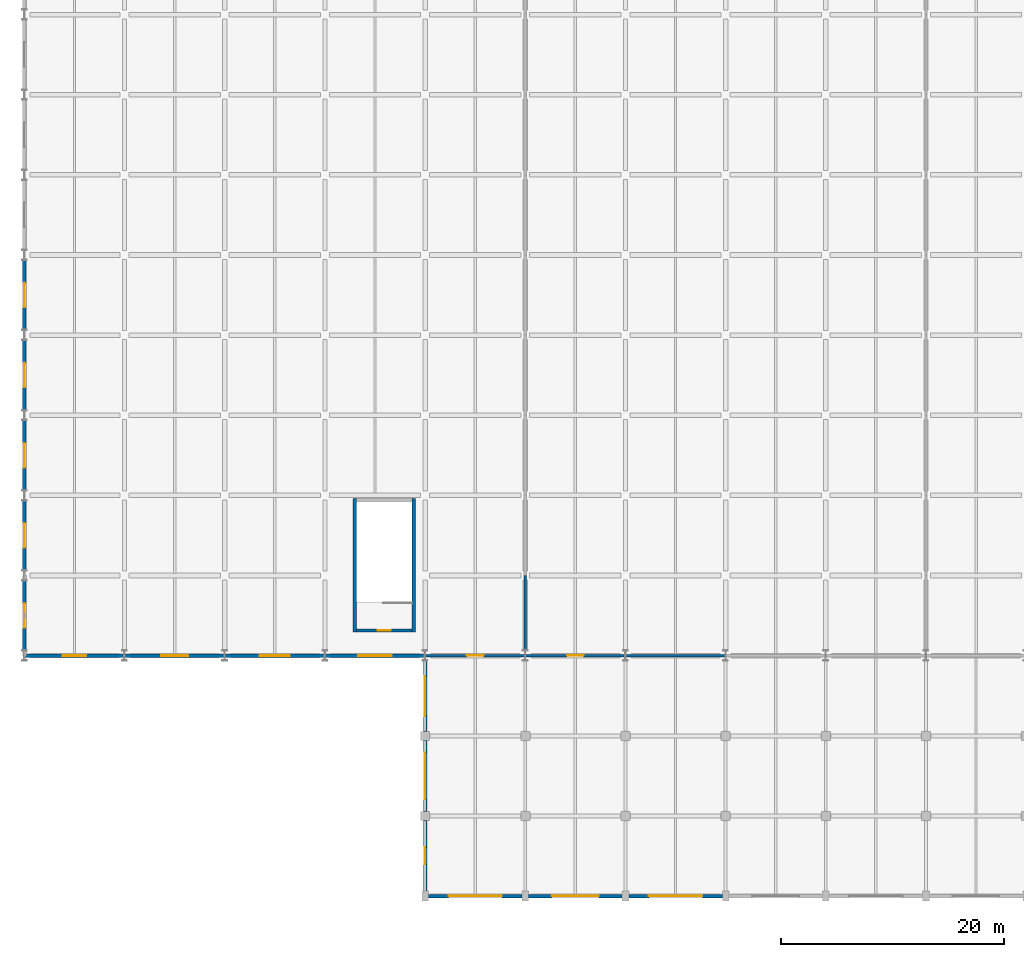
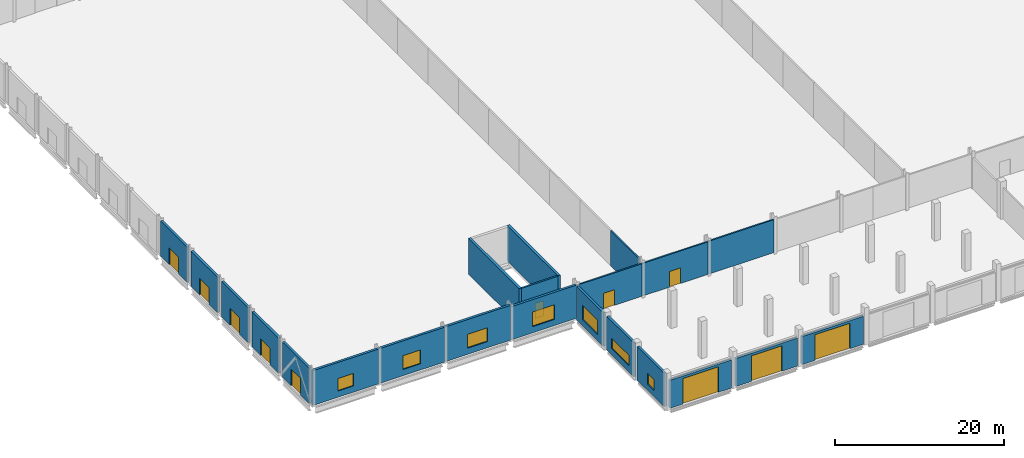
# One storey, part 85 of 137: 22 walls, 11 doors, 7 windows, 18 openings.
"""IFC4 building model written with IfcOpenShell, lengths in metres."""

from ifc_helpers import new_model, si_unit, direction, frame, frame_2d, origin, place, context, subcontext, project, spatial, rectangle, extrude, material, layer, layer_set, type_object, element, fill, save


model = new_model("IFC4")

# Units and contexts
model_context = context("Model", 3, precision=1e-05, world=origin(), true_north=direction((0.0, 1.0)))
body_context = subcontext(model_context, "Body", "Model", "MODEL_VIEW")
ifc_project = project(units=[si_unit("LENGTHUNIT", "METRE"), si_unit("AREAUNIT", "SQUARE_METRE"), si_unit("VOLUMEUNIT", "CUBIC_METRE"), si_unit("PLANEANGLEUNIT", "RADIAN"), si_unit("MASSUNIT", "GRAM", prefix="KILO")], contexts=[model_context])

# Site, building, storey
site_placement = place(None, origin())
site = spatial("IfcSite", under=ifc_project, at=site_placement, CompositionType="ELEMENT")
building_placement = place(site_placement, origin())
building = spatial("IfcBuilding", under=site, at=building_placement, Name="Celestram Park Convention Centre", CompositionType="ELEMENT")
storey_placement = place(building_placement, origin())
storey = spatial("IfcBuildingStorey", under=building, at=storey_placement, Name="L00", CompositionType="ELEMENT", Elevation=0.0)

# Wall, opening, door
ifc_material_1 = material(Name="Double-Stud Acoustic Gypsum Assembly", Category="gypsum")
ifc_layer_1 = layer(ifc_material_1, 0.199951171875)
ifc_layer_set_1 = layer_set([ifc_layer_1], Name="Double-Stud Acoustic Gypsum Assembly")
wall_type_1 = type_object("IfcWallType", Name="ARC-WL-ACO200", PredefinedType="PARTITIONING", material=ifc_layer_set_1)
wall_1_placement = place(storey_placement, frame((36.010009765625, 21.60009765625, 0.0), z_axis=(0.0, 0.0, 1.0), x_axis=(1.0, 0.0, 0.0)))
wall_1 = element("IfcWall", 1, at=wall_1_placement, inside=storey, type_object=wall_type_1, Name="Interior partition WL-L00-IN0540", PredefinedType="PARTITIONING", context=body_context, shape_type="SweptSolid", body=[
    extrude(rectangle(XDim=8.97998046875, YDim=0.199951171875, at=frame_2d((4.489990234375, 0.0))), origin(), (0.0, 0.0, 1.0), 4.693115234375),
])
opening_1_placement = place(wall_1_placement, frame((3.739990234375, 0.0, 0.0)))
opening_1 = element("IfcOpeningElement", 2, at=opening_1_placement, cuts=wall_1, Name="Opening D-09", PredefinedType="OPENING", context=body_context, shape_type="SweptSolid", body=[
    extrude(rectangle(XDim=1.5, YDim=2.25, at=frame_2d((0.75, 1.125))), frame((0.0, 0.10986328125, 0.0), z_axis=(0.0, -1.0, 0.0), x_axis=(1.0, 0.0, 0.0)), (0.0, 0.0, 1.0), 0.219970703125),
])
ifc_material_2 = material(Name="Galvanised Hollow Metal Plant Double Door", Category="steel")
door_type_1 = type_object("IfcDoorType", Name="ARC-DR-PLT150", OperationType="NOTDEFINED", PredefinedType="DOOR", material=ifc_material_2)
door_1_placement = place(opening_1_placement, origin())
door_1 = element("IfcDoor", 3, at=door_1_placement, inside=storey, type_object=door_type_1, Name="Covered Truck Loading Dock entrance door", OperationType="DOUBLE_DOOR_SINGLE_SWING", OverallHeight=2.25, OverallWidth=1.5, PredefinedType="DOOR", context=body_context, shape_type="SweptSolid", body=[
    extrude(rectangle(XDim=1.5, YDim=2.25, at=frame_2d((0.75, 1.125))), frame((0.0, 0.02490234375, 0.0), z_axis=(0.0, -1.0, 0.0), x_axis=(1.0, 0.0, 0.0)), (0.0, 0.0, 1.0), 0.050048828125),
])
fill(opening_1, door_1)

wall_2_placement = place(storey_placement, frame((45.010009765625, 21.60009765625, 0.0), z_axis=(0.0, 0.0, 1.0), x_axis=(1.0, 0.0, 0.0)))
wall_2 = element("IfcWall", 4, at=wall_2_placement, inside=storey, type_object=wall_type_1, Name="Interior partition WL-L00-IN0541", PredefinedType="PARTITIONING", context=body_context, shape_type="SweptSolid", body=[
    extrude(rectangle(XDim=8.97998046875, YDim=0.199951171875, at=frame_2d((4.489990234375, 0.0))), origin(), (0.0, 0.0, 1.0), 4.702880859375),
])
opening_2_placement = place(wall_2_placement, frame((3.739990234375, 0.0, 0.0)))
opening_2 = element("IfcOpeningElement", 5, at=opening_2_placement, cuts=wall_2, Name="Opening D-09", PredefinedType="OPENING", context=body_context, shape_type="SweptSolid", body=[
    extrude(rectangle(XDim=1.5, YDim=2.25, at=frame_2d((0.75, 1.125))), frame((0.0, 0.10986328125, 0.0), z_axis=(0.0, -1.0, 0.0), x_axis=(1.0, 0.0, 0.0)), (0.0, 0.0, 1.0), 0.219970703125),
])
door_2_placement = place(opening_2_placement, origin())
door_2 = element("IfcDoor", 6, at=door_2_placement, inside=storey, type_object=door_type_1, Name="Covered Truck Loading Dock entrance door", OperationType="DOUBLE_DOOR_SINGLE_SWING", OverallHeight=2.25, OverallWidth=1.5, PredefinedType="DOOR", context=body_context, shape_type="SweptSolid", body=[
    extrude(rectangle(XDim=1.5, YDim=2.25, at=frame_2d((0.75, 1.125))), frame((0.0, 0.02490234375, 0.0), z_axis=(0.0, -1.0, 0.0), x_axis=(1.0, 0.0, 0.0)), (0.0, 0.0, 1.0), 0.050048828125),
])
fill(opening_2, door_2)

# Walls
wall_3_placement = place(storey_placement, frame((54.010009765625, 21.60009765625, 0.0), z_axis=(0.0, 0.0, 1.0), x_axis=(1.0, 0.0, 0.0)))
element("IfcWall", 7, at=wall_3_placement, inside=storey, type_object=wall_type_1, Name="Interior partition WL-L00-IN0542", PredefinedType="PARTITIONING", context=body_context, shape_type="SweptSolid", body=[
    extrude(rectangle(XDim=8.97998046875, YDim=0.199951171875, at=frame_2d((4.489990234375, 0.0))), origin(), (0.0, 0.0, 1.0), 4.75390625),
])
wall_4_placement = place(storey_placement, frame((45.0, 22.06396484375, 0.0), z_axis=(0.0, 0.0, 1.0), x_axis=(0.0, 1.0, 0.0)))
element("IfcWall", 8, at=wall_4_placement, inside=storey, type_object=wall_type_1, Name="Interior partition WL-L00-IN0614", PredefinedType="PARTITIONING", context=body_context, shape_type="SweptSolid", body=[
    extrude(rectangle(XDim=6.736083984375, YDim=0.199951171875, at=frame_2d((3.3681640625, 0.0))), origin(), (0.0, 0.0, 1.0), 5.080078125),
])

# Wall, opening, door
ifc_material_3 = material(Name="Concrete Block Masonry C25/30", Category="masonry")
ifc_layer_2 = layer(ifc_material_3, 0.25)
ifc_layer_set_2 = layer_set([ifc_layer_2], Name="Concrete Block Masonry C25/30")
wall_type_2 = type_object("IfcWallType", Name="ARC-WL-COR250", PredefinedType="STANDARD", material=ifc_layer_set_2)
wall_5_placement = place(storey_placement, frame((34.800048828125, 23.875, 0.0), z_axis=(0.0, 0.0, 1.0), x_axis=(-1.0, 0.0, 0.0)))
wall_5 = element("IfcWall", 9, at=wall_5_placement, inside=storey, type_object=wall_type_2, Name="Core S17 stair entrance wall", PredefinedType="STANDARD", context=body_context, shape_type="SweptSolid", body=[
    extrude(rectangle(XDim=4.9599609375, YDim=0.25, at=frame_2d((2.47998046875, 0.0))), origin(), (0.0, 0.0, 1.0), 5.080078125),
])
opening_3_placement = place(wall_5_placement, frame((1.905029296875, 0.0, 0.0)))
opening_3 = element("IfcOpeningElement", 10, at=opening_3_placement, cuts=wall_5, Name="Opening D-ST1", PredefinedType="OPENING", context=body_context, shape_type="SweptSolid", body=[
    extrude(rectangle(XDim=1.14990234375, YDim=2.199951171875, at=frame_2d((0.574951171875, 1.10009765625))), frame((0.0, 0.135009765625, 0.0), z_axis=(0.0, -1.0, 0.0), x_axis=(1.0, 0.0, 0.0)), (0.0, 0.0, 1.0), 0.27001953125),
])
ifc_material_4 = material(Name="Fire-Rated Hollow Metal Steel ASTM A653", Category="steel")
door_type_2 = type_object("IfcDoorType", Name="ARC-DR-ST115", OperationType="NOTDEFINED", PredefinedType="DOOR", material=ifc_material_4)
door_3_placement = place(opening_3_placement, origin())
door_3 = element("IfcDoor", 11, at=door_3_placement, inside=storey, type_object=door_type_2, Name="Exit stair ST-17 fire door", OperationType="SINGLE_SWING_RIGHT", OverallHeight=2.199951171875, OverallWidth=1.14990234375, PredefinedType="DOOR", context=body_context, shape_type="SweptSolid", body=[
    extrude(rectangle(XDim=1.14990234375, YDim=2.199951171875, at=frame_2d((0.574951171875, 1.10009765625))), frame((0.0, 0.02490234375, 0.0), z_axis=(0.0, -1.0, 0.0), x_axis=(1.0, 0.0, 0.0)), (0.0, 0.0, 1.0), 0.050048828125),
])
fill(opening_3, door_3)

ifc_material_5 = material(Name="Precast Concrete C40/50", Category="concrete")
ifc_layer_3 = layer(ifc_material_5, 0.320068359375)
ifc_layer_set_3 = layer_set([ifc_layer_3], Name="Precast Concrete C40/50")
wall_type_3 = type_object("IfcWallType", Name="ARC-WL-EXT320", PredefinedType="STANDARD", material=ifc_layer_set_3)
wall_6_placement = place(storey_placement, frame((0.0, 22.06396484375, 0.0), z_axis=(0.0, 0.0, 1.0), x_axis=(0.0, 1.0, 0.0)))
wall_6 = element("IfcWall", 12, at=wall_6_placement, inside=storey, type_object=wall_type_3, Name="Bush-hammered precast exterior wall WL-L00-EW001", PredefinedType="STANDARD", context=body_context, shape_type="SweptSolid", body=[
    extrude(rectangle(XDim=6.27197265625, YDim=0.320068359375, at=frame_2d((3.135986328125, 0.0))), origin(), (0.0, 0.0, 1.0), 5.080078125),
])
opening_4_placement = place(wall_6_placement, frame((2.035888671875, 0.0, 0.0)))
opening_4 = element("IfcOpeningElement", 13, at=opening_4_placement, cuts=wall_6, Name="Opening D-EX1", PredefinedType="OPENING", context=body_context, shape_type="SweptSolid", body=[
    extrude(rectangle(XDim=2.199951171875, YDim=2.39990234375, at=frame_2d((1.10009765625, 1.199951171875))), frame((0.0, 0.169921875, 0.0), z_axis=(0.0, -1.0, 0.0), x_axis=(1.0, 0.0, 0.0)), (0.0, 0.0, 1.0), 0.340087890625),
])
ifc_material_6 = material(Name="Anodised Aluminium & Tempered Glass", Category="aluminium")
door_type_3 = type_object("IfcDoorType", Name="ARC-DR-EX2200", OperationType="NOTDEFINED", PredefinedType="DOOR", material=ifc_material_6)
door_4_placement = place(opening_4_placement, origin())
door_4 = element("IfcDoor", 14, at=door_4_placement, inside=storey, type_object=door_type_3, Name="Ground egress exit door DR-L00-EX01", OperationType="DOUBLE_DOOR_SINGLE_SWING", OverallHeight=2.39990234375, OverallWidth=2.199951171875, PredefinedType="DOOR", context=body_context, shape_type="SweptSolid", body=[
    extrude(rectangle(XDim=2.199951171875, YDim=2.39990234375, at=frame_2d((1.10009765625, 1.199951171875))), frame((0.0, 0.02490234375, 0.0), z_axis=(0.0, -1.0, 0.0), x_axis=(1.0, 0.0, 0.0)), (0.0, 0.0, 1.0), 0.050048828125),
])
fill(opening_4, door_4)

wall_7_placement = place(storey_placement, frame((0.0, 29.263916015625, 0.0), z_axis=(0.0, 0.0, 1.0), x_axis=(0.0, 1.0, 0.0)))
wall_7 = element("IfcWall", 15, at=wall_7_placement, inside=storey, type_object=wall_type_3, Name="Bush-hammered precast exterior wall WL-L00-EW002", PredefinedType="STANDARD", context=body_context, shape_type="SweptSolid", body=[
    extrude(rectangle(XDim=6.27197265625, YDim=0.320068359375, at=frame_2d((3.135986328125, 0.0))), origin(), (0.0, 0.0, 1.0), 5.080078125),
])
opening_5_placement = place(wall_7_placement, frame((2.035888671875, 0.0, 0.0)))
opening_5 = element("IfcOpeningElement", 16, at=opening_5_placement, cuts=wall_7, Name="Opening D-EX1", PredefinedType="OPENING", context=body_context, shape_type="SweptSolid", body=[
    extrude(rectangle(XDim=2.199951171875, YDim=2.39990234375, at=frame_2d((1.10009765625, 1.199951171875))), frame((0.0, 0.169921875, 0.0), z_axis=(0.0, -1.0, 0.0), x_axis=(1.0, 0.0, 0.0)), (0.0, 0.0, 1.0), 0.340087890625),
])
door_5_placement = place(opening_5_placement, origin())
door_5 = element("IfcDoor", 17, at=door_5_placement, inside=storey, type_object=door_type_3, Name="Ground egress exit door DR-L00-EX02", OperationType="DOUBLE_DOOR_SINGLE_SWING", OverallHeight=2.39990234375, OverallWidth=2.199951171875, PredefinedType="DOOR", context=body_context, shape_type="SweptSolid", body=[
    extrude(rectangle(XDim=2.199951171875, YDim=2.39990234375, at=frame_2d((1.10009765625, 1.199951171875))), frame((0.0, 0.02490234375, 0.0), z_axis=(0.0, -1.0, 0.0), x_axis=(1.0, 0.0, 0.0)), (0.0, 0.0, 1.0), 0.050048828125),
])
fill(opening_5, door_5)

wall_8_placement = place(storey_placement, frame((0.0, 36.464111328125, 0.0), z_axis=(0.0, 0.0, 1.0), x_axis=(0.0, 1.0, 0.0)))
wall_8 = element("IfcWall", 18, at=wall_8_placement, inside=storey, type_object=wall_type_3, Name="Bush-hammered precast exterior wall WL-L00-EW003", PredefinedType="STANDARD", context=body_context, shape_type="SweptSolid", body=[
    extrude(rectangle(XDim=6.27197265625, YDim=0.320068359375, at=frame_2d((3.135986328125, 0.0))), origin(), (0.0, 0.0, 1.0), 5.080078125),
])
opening_6_placement = place(wall_8_placement, frame((2.035888671875, 0.0, 0.0)))
opening_6 = element("IfcOpeningElement", 19, at=opening_6_placement, cuts=wall_8, Name="Opening D-EX1", PredefinedType="OPENING", context=body_context, shape_type="SweptSolid", body=[
    extrude(rectangle(XDim=2.199951171875, YDim=2.39990234375, at=frame_2d((1.10009765625, 1.199951171875))), frame((0.0, 0.169921875, 0.0), z_axis=(0.0, -1.0, 0.0), x_axis=(1.0, 0.0, 0.0)), (0.0, 0.0, 1.0), 0.340087890625),
])
door_6_placement = place(opening_6_placement, origin())
door_6 = element("IfcDoor", 20, at=door_6_placement, inside=storey, type_object=door_type_3, Name="Ground egress exit door DR-L00-EX03", OperationType="DOUBLE_DOOR_SINGLE_SWING", OverallHeight=2.39990234375, OverallWidth=2.199951171875, PredefinedType="DOOR", context=body_context, shape_type="SweptSolid", body=[
    extrude(rectangle(XDim=2.199951171875, YDim=2.39990234375, at=frame_2d((1.10009765625, 1.199951171875))), frame((0.0, 0.02490234375, 0.0), z_axis=(0.0, -1.0, 0.0), x_axis=(1.0, 0.0, 0.0)), (0.0, 0.0, 1.0), 0.050048828125),
])
fill(opening_6, door_6)

wall_9_placement = place(storey_placement, frame((0.0, 43.6640625, 0.0), z_axis=(0.0, 0.0, 1.0), x_axis=(0.0, 1.0, 0.0)))
wall_9 = element("IfcWall", 21, at=wall_9_placement, inside=storey, type_object=wall_type_3, Name="Bush-hammered precast exterior wall WL-L00-EW004", PredefinedType="STANDARD", context=body_context, shape_type="SweptSolid", body=[
    extrude(rectangle(XDim=6.27197265625, YDim=0.320068359375, at=frame_2d((3.135986328125, 0.0))), origin(), (0.0, 0.0, 1.0), 5.080078125),
])
opening_7_placement = place(wall_9_placement, frame((2.035888671875, 0.0, 0.0)))
opening_7 = element("IfcOpeningElement", 22, at=opening_7_placement, cuts=wall_9, Name="Opening D-EX1", PredefinedType="OPENING", context=body_context, shape_type="SweptSolid", body=[
    extrude(rectangle(XDim=2.199951171875, YDim=2.39990234375, at=frame_2d((1.10009765625, 1.199951171875))), frame((0.0, 0.169921875, 0.0), z_axis=(0.0, -1.0, 0.0), x_axis=(1.0, 0.0, 0.0)), (0.0, 0.0, 1.0), 0.340087890625),
])
door_7_placement = place(opening_7_placement, origin())
door_7 = element("IfcDoor", 23, at=door_7_placement, inside=storey, type_object=door_type_3, Name="Ground egress exit door DR-L00-EX04", OperationType="DOUBLE_DOOR_SINGLE_SWING", OverallHeight=2.39990234375, OverallWidth=2.199951171875, PredefinedType="DOOR", context=body_context, shape_type="SweptSolid", body=[
    extrude(rectangle(XDim=2.199951171875, YDim=2.39990234375, at=frame_2d((1.10009765625, 1.199951171875))), frame((0.0, 0.02490234375, 0.0), z_axis=(0.0, -1.0, 0.0), x_axis=(1.0, 0.0, 0.0)), (0.0, 0.0, 1.0), 0.050048828125),
])
fill(opening_7, door_7)

wall_10_placement = place(storey_placement, frame((0.0, 50.864013671875, 0.0), z_axis=(0.0, 0.0, 1.0), x_axis=(0.0, 1.0, 0.0)))
wall_10 = element("IfcWall", 24, at=wall_10_placement, inside=storey, type_object=wall_type_3, Name="Bush-hammered precast exterior wall WL-L00-EW005", PredefinedType="STANDARD", context=body_context, shape_type="SweptSolid", body=[
    extrude(rectangle(XDim=6.27197265625, YDim=0.320068359375, at=frame_2d((3.135986328125, 0.0))), origin(), (0.0, 0.0, 1.0), 5.080078125),
])
opening_8_placement = place(wall_10_placement, frame((2.035888671875, 0.0, 0.0)))
opening_8 = element("IfcOpeningElement", 25, at=opening_8_placement, cuts=wall_10, Name="Opening D-EX1", PredefinedType="OPENING", context=body_context, shape_type="SweptSolid", body=[
    extrude(rectangle(XDim=2.199951171875, YDim=2.39990234375, at=frame_2d((1.10009765625, 1.199951171875))), frame((0.0, 0.169921875, 0.0), z_axis=(0.0, -1.0, 0.0), x_axis=(1.0, 0.0, 0.0)), (0.0, 0.0, 1.0), 0.340087890625),
])
door_8_placement = place(opening_8_placement, origin())
door_8 = element("IfcDoor", 26, at=door_8_placement, inside=storey, type_object=door_type_3, Name="Ground egress exit door DR-L00-EX05", OperationType="DOUBLE_DOOR_SINGLE_SWING", OverallHeight=2.39990234375, OverallWidth=2.199951171875, PredefinedType="DOOR", context=body_context, shape_type="SweptSolid", body=[
    extrude(rectangle(XDim=2.199951171875, YDim=2.39990234375, at=frame_2d((1.10009765625, 1.199951171875))), frame((0.0, 0.02490234375, 0.0), z_axis=(0.0, -1.0, 0.0), x_axis=(1.0, 0.0, 0.0)), (0.0, 0.0, 1.0), 0.050048828125),
])
fill(opening_8, door_8)

wall_11_placement = place(storey_placement, frame((62.701904296875, 0.0, 0.0), z_axis=(0.0, 0.0, 1.0), x_axis=(-1.0, 0.0, 0.0)))
wall_11 = element("IfcWall", 27, at=wall_11_placement, inside=storey, type_object=wall_type_3, Name="Bush-hammered precast exterior wall WL-L00-EW072", PredefinedType="STANDARD", context=body_context, shape_type="SweptSolid", body=[
    extrude(rectangle(XDim=8.40380859375, YDim=0.320068359375, at=frame_2d((4.201904296875, 0.0))), origin(), (0.0, 0.0, 1.0), 4.04296875),
])
opening_9_placement = place(wall_11_placement, frame((1.802001953125, 0.0, 0.0)))
opening_9 = element("IfcOpeningElement", 28, at=opening_9_placement, cuts=wall_11, Name="Opening D-SH1", PredefinedType="OPENING", context=body_context, shape_type="SweptSolid", body=[
    extrude(rectangle(XDim=4.800048828125, YDim=3.68994140625, at=frame_2d((2.39990234375, 1.844970703125))), frame((0.0, 0.169921875, 0.0), z_axis=(0.0, -1.0, 0.0), x_axis=(1.0, 0.0, 0.0)), (0.0, 0.0, 1.0), 0.340087890625),
])
ifc_material_7 = material(Name="Galvanised Steel Roller Slats Grade 33", Category="steel")
door_type_4 = type_object("IfcDoorType", Name="ARC-DR-SH4800", OperationType="NOTDEFINED", PredefinedType="DOOR", material=ifc_material_7)
door_9_placement = place(opening_9_placement, origin())
door_9 = element("IfcDoor", 29, at=door_9_placement, inside=storey, type_object=door_type_4, Name="Motorised freight dock shutter DR-L00-SH05", OperationType="ROLLINGUP", OverallHeight=3.68994140625, OverallWidth=4.800048828125, PredefinedType="DOOR", context=body_context, shape_type="SweptSolid", body=[
    extrude(rectangle(XDim=4.800048828125, YDim=3.68994140625, at=frame_2d((2.39990234375, 1.844970703125))), frame((0.0, 0.02490234375, 0.0), z_axis=(0.0, -1.0, 0.0), x_axis=(1.0, 0.0, 0.0)), (0.0, 0.0, 1.0), 0.050048828125),
])
fill(opening_9, door_9)

wall_12_placement = place(storey_placement, frame((53.701904296875, 0.0, 0.0), z_axis=(0.0, 0.0, 1.0), x_axis=(-1.0, 0.0, 0.0)))
wall_12 = element("IfcWall", 30, at=wall_12_placement, inside=storey, type_object=wall_type_3, Name="Bush-hammered precast exterior wall WL-L00-EW073", PredefinedType="STANDARD", context=body_context, shape_type="SweptSolid", body=[
    extrude(rectangle(XDim=8.40380859375, YDim=0.320068359375, at=frame_2d((4.201904296875, 0.0))), origin(), (0.0, 0.0, 1.0), 4.04296875),
])
opening_10_placement = place(wall_12_placement, frame((2.10205078125, 0.0, 0.0)))
opening_10 = element("IfcOpeningElement", 31, at=opening_10_placement, cuts=wall_12, Name="Opening D-SH2", PredefinedType="OPENING", context=body_context, shape_type="SweptSolid", body=[
    extrude(rectangle(XDim=4.199951171875, YDim=3.68994140625, at=frame_2d((2.10009765625, 1.844970703125))), frame((0.0, 0.169921875, 0.0), z_axis=(0.0, -1.0, 0.0), x_axis=(1.0, 0.0, 0.0)), (0.0, 0.0, 1.0), 0.340087890625),
])
door_type_5 = type_object("IfcDoorType", Name="ARC-DR-SH4200", OperationType="NOTDEFINED", PredefinedType="DOOR", material=ifc_material_7)
door_10_placement = place(opening_10_placement, origin())
door_10 = element("IfcDoor", 32, at=door_10_placement, inside=storey, type_object=door_type_5, Name="Motorised freight dock shutter DR-L00-SH06", OperationType="ROLLINGUP", OverallHeight=3.68994140625, OverallWidth=4.199951171875, PredefinedType="DOOR", context=body_context, shape_type="SweptSolid", body=[
    extrude(rectangle(XDim=4.199951171875, YDim=3.68994140625, at=frame_2d((2.10009765625, 1.844970703125))), frame((0.0, 0.02490234375, 0.0), z_axis=(0.0, -1.0, 0.0), x_axis=(1.0, 0.0, 0.0)), (0.0, 0.0, 1.0), 0.050048828125),
])
fill(opening_10, door_10)

wall_13_placement = place(storey_placement, frame((44.701904296875, 0.0, 0.0), z_axis=(0.0, 0.0, 1.0), x_axis=(-1.0, 0.0, 0.0)))
wall_13 = element("IfcWall", 33, at=wall_13_placement, inside=storey, type_object=wall_type_3, Name="Bush-hammered precast exterior wall WL-L00-EW074", PredefinedType="STANDARD", context=body_context, shape_type="SweptSolid", body=[
    extrude(rectangle(XDim=8.40380859375, YDim=0.320068359375, at=frame_2d((4.201904296875, 0.0))), origin(), (0.0, 0.0, 1.0), 4.04296875),
])
opening_11_placement = place(wall_13_placement, frame((1.802001953125, 0.0, 0.0)))
opening_11 = element("IfcOpeningElement", 34, at=opening_11_placement, cuts=wall_13, Name="Opening D-SH1", PredefinedType="OPENING", context=body_context, shape_type="SweptSolid", body=[
    extrude(rectangle(XDim=4.800048828125, YDim=3.68994140625, at=frame_2d((2.39990234375, 1.844970703125))), frame((0.0, 0.169921875, 0.0), z_axis=(0.0, -1.0, 0.0), x_axis=(1.0, 0.0, 0.0)), (0.0, 0.0, 1.0), 0.340087890625),
])
door_11_placement = place(opening_11_placement, origin())
door_11 = element("IfcDoor", 35, at=door_11_placement, inside=storey, type_object=door_type_4, Name="Motorised freight dock shutter DR-L00-SH07", OperationType="ROLLINGUP", OverallHeight=3.68994140625, OverallWidth=4.800048828125, PredefinedType="DOOR", context=body_context, shape_type="SweptSolid", body=[
    extrude(rectangle(XDim=4.800048828125, YDim=3.68994140625, at=frame_2d((2.39990234375, 1.844970703125))), frame((0.0, 0.02490234375, 0.0), z_axis=(0.0, -1.0, 0.0), x_axis=(1.0, 0.0, 0.0)), (0.0, 0.0, 1.0), 0.050048828125),
])
fill(opening_11, door_11)

# Wall, opening, window
wall_14_placement = place(storey_placement, frame((36.0, 0.447998046875, 0.0), z_axis=(0.0, 0.0, 1.0), x_axis=(0.0, 1.0, 0.0)))
wall_14 = element("IfcWall", 36, at=wall_14_placement, inside=storey, type_object=wall_type_3, Name="Bush-hammered precast exterior wall WL-L00-EW075", PredefinedType="STANDARD", context=body_context, shape_type="SweptSolid", body=[
    extrude(rectangle(XDim=6.35400390625, YDim=0.320068359375, at=frame_2d((3.177001953125, 0.0))), origin(), (0.0, 0.0, 1.0), 4.860107421875),
])
opening_12_placement = place(wall_14_placement, frame((2.427001953125, 0.0, 0.89990234375)))
opening_12 = element("IfcOpeningElement", 37, at=opening_12_placement, cuts=wall_14, Name="Opening W-07", PredefinedType="OPENING", context=body_context, shape_type="SweptSolid", body=[
    extrude(rectangle(XDim=1.5, YDim=1.60009765625, at=frame_2d((0.75, 0.800048828125))), frame((0.0, 0.169921875, 0.0), z_axis=(0.0, -1.0, 0.0), x_axis=(1.0, 0.0, 0.0)), (0.0, 0.0, 1.0), 0.340087890625),
])
ifc_material_8 = material(Name="Thermally Broken Aluminium & Triple Glazing", Category="aluminium")
window_type_1 = type_object("IfcWindowType", Name="ARC-WN-150X160", PartitioningType="SINGLE_PANEL", PredefinedType="WINDOW", material=ifc_material_8)
window_1_placement = place(opening_12_placement, origin())
window_1 = element("IfcWindow", 38, at=window_1_placement, inside=storey, type_object=window_type_1, Name="Punched exterior window WN-L00-015", OverallHeight=1.60009765625, OverallWidth=1.5, PartitioningType="SINGLE_PANEL", PredefinedType="WINDOW", context=body_context, shape_type="SweptSolid", body=[
    extrude(rectangle(XDim=1.5, YDim=1.60009765625, at=frame_2d((0.75, 0.800048828125))), frame((0.0, 0.030029296875, 0.0), z_axis=(0.0, -1.0, 0.0), x_axis=(1.0, 0.0, 0.0)), (0.0, 0.0, 1.0), 0.06005859375),
])
fill(opening_12, window_1)

wall_15_placement = place(storey_placement, frame((36.0, 7.597900390625, 0.0), z_axis=(0.0, 0.0, 1.0), x_axis=(0.0, 1.0, 0.0)))
wall_15 = element("IfcWall", 39, at=wall_15_placement, inside=storey, type_object=wall_type_3, Name="Bush-hammered precast exterior wall WL-L00-EW076", PredefinedType="STANDARD", context=body_context, shape_type="SweptSolid", body=[
    extrude(rectangle(XDim=6.404052734375, YDim=0.320068359375, at=frame_2d((3.2021484375, 0.0))), origin(), (0.0, 0.0, 1.0), 4.860107421875),
])
opening_13_placement = place(wall_15_placement, frame((1.10205078125, 0.0, 0.89990234375)))
opening_13 = element("IfcOpeningElement", 40, at=opening_13_placement, cuts=wall_15, Name="Opening W-08", PredefinedType="OPENING", context=body_context, shape_type="SweptSolid", body=[
    extrude(rectangle(XDim=4.199951171875, YDim=1.5, at=frame_2d((2.10009765625, 0.75))), frame((0.0, 0.169921875, 0.0), z_axis=(0.0, -1.0, 0.0), x_axis=(1.0, 0.0, 0.0)), (0.0, 0.0, 1.0), 0.340087890625),
])
window_type_2 = type_object("IfcWindowType", Name="ARC-WN-420X150", PartitioningType="SINGLE_PANEL", PredefinedType="WINDOW", material=ifc_material_8)
window_2_placement = place(opening_13_placement, origin())
window_2 = element("IfcWindow", 41, at=window_2_placement, inside=storey, type_object=window_type_2, Name="Punched exterior window WN-L00-016", OverallHeight=1.5, OverallWidth=4.199951171875, PartitioningType="SINGLE_PANEL", PredefinedType="WINDOW", context=body_context, shape_type="SweptSolid", body=[
    extrude(rectangle(XDim=4.199951171875, YDim=1.5, at=frame_2d((2.10009765625, 0.75))), frame((0.0, 0.030029296875, 0.0), z_axis=(0.0, -1.0, 0.0), x_axis=(1.0, 0.0, 0.0)), (0.0, 0.0, 1.0), 0.06005859375),
])
fill(opening_13, window_2)

wall_16_placement = place(storey_placement, frame((36.0, 14.798095703125, 0.0), z_axis=(0.0, 0.0, 1.0), x_axis=(0.0, 1.0, 0.0)))
wall_16 = element("IfcWall", 42, at=wall_16_placement, inside=storey, type_object=wall_type_3, Name="Bush-hammered precast exterior wall WL-L00-EW077", PredefinedType="STANDARD", context=body_context, shape_type="SweptSolid", body=[
    extrude(rectangle(XDim=6.337890625, YDim=0.320068359375, at=frame_2d((3.1689453125, 0.0))), origin(), (0.0, 0.0, 1.0), 4.860107421875),
])
opening_14_placement = place(wall_16_placement, frame((1.368896484375, 0.0, 0.89990234375)))
opening_14 = element("IfcOpeningElement", 43, at=opening_14_placement, cuts=wall_16, Name="Opening W-01", PredefinedType="OPENING", context=body_context, shape_type="SweptSolid", body=[
    extrude(rectangle(XDim=3.60009765625, YDim=2.10009765625, at=frame_2d((1.800048828125, 1.050048828125))), frame((0.0, 0.169921875, 0.0), z_axis=(0.0, -1.0, 0.0), x_axis=(1.0, 0.0, 0.0)), (0.0, 0.0, 1.0), 0.340087890625),
])
window_type_3 = type_object("IfcWindowType", Name="ARC-WN-360X220", PartitioningType="SINGLE_PANEL", PredefinedType="WINDOW", material=ifc_material_8)
window_3_placement = place(opening_14_placement, origin())
window_3 = element("IfcWindow", 44, at=window_3_placement, inside=storey, type_object=window_type_3, Name="Punched exterior window WN-L00-017", OverallHeight=2.10009765625, OverallWidth=3.60009765625, PartitioningType="SINGLE_PANEL", PredefinedType="WINDOW", context=body_context, shape_type="SweptSolid", body=[
    extrude(rectangle(XDim=3.60009765625, YDim=2.10009765625, at=frame_2d((1.800048828125, 1.050048828125))), frame((0.0, 0.030029296875, 0.0), z_axis=(0.0, -1.0, 0.0), x_axis=(1.0, 0.0, 0.0)), (0.0, 0.0, 1.0), 0.06005859375),
])
fill(opening_14, window_3)

wall_17_placement = place(storey_placement, frame((35.989990234375, 21.60009765625, 0.0), z_axis=(0.0, 0.0, 1.0), x_axis=(-1.0, 0.0, 0.0)))
wall_17 = element("IfcWall", 45, at=wall_17_placement, inside=storey, type_object=wall_type_3, Name="Bush-hammered precast exterior wall WL-L00-EW078", PredefinedType="STANDARD", context=body_context, shape_type="SweptSolid", body=[
    extrude(rectangle(XDim=8.97998046875, YDim=0.320068359375, at=frame_2d((4.489990234375, 0.0))), origin(), (0.0, 0.0, 1.0), 4.787109375),
])
opening_15_placement = place(wall_17_placement, frame((2.989990234375, 0.0, 0.89990234375)))
opening_15 = element("IfcOpeningElement", 46, at=opening_15_placement, cuts=wall_17, Name="Opening W-02", PredefinedType="OPENING", context=body_context, shape_type="SweptSolid", body=[
    extrude(rectangle(XDim=3.0, YDim=2.10009765625, at=frame_2d((1.5, 1.050048828125))), frame((0.0, 0.169921875, 0.0), z_axis=(0.0, -1.0, 0.0), x_axis=(1.0, 0.0, 0.0)), (0.0, 0.0, 1.0), 0.340087890625),
])
window_type_4 = type_object("IfcWindowType", Name="ARC-WN-300X220", PartitioningType="SINGLE_PANEL", PredefinedType="WINDOW", material=ifc_material_8)
window_4_placement = place(opening_15_placement, origin())
window_4 = element("IfcWindow", 47, at=window_4_placement, inside=storey, type_object=window_type_4, Name="Punched exterior window WN-L00-018", OverallHeight=2.10009765625, OverallWidth=3.0, PartitioningType="SINGLE_PANEL", PredefinedType="WINDOW", context=body_context, shape_type="SweptSolid", body=[
    extrude(rectangle(XDim=3.0, YDim=2.10009765625, at=frame_2d((1.5, 1.050048828125))), frame((0.0, 0.030029296875, 0.0), z_axis=(0.0, -1.0, 0.0), x_axis=(1.0, 0.0, 0.0)), (0.0, 0.0, 1.0), 0.06005859375),
])
fill(opening_15, window_4)

wall_18_placement = place(storey_placement, frame((26.989990234375, 21.60009765625, 0.0), z_axis=(0.0, 0.0, 1.0), x_axis=(-1.0, 0.0, 0.0)))
wall_18 = element("IfcWall", 48, at=wall_18_placement, inside=storey, type_object=wall_type_3, Name="Bush-hammered precast exterior wall WL-L00-EW079", PredefinedType="STANDARD", context=body_context, shape_type="SweptSolid", body=[
    extrude(rectangle(XDim=8.97998046875, YDim=0.320068359375, at=frame_2d((4.489990234375, 0.0))), origin(), (0.0, 0.0, 1.0), 5.027099609375),
])
opening_16_placement = place(wall_18_placement, frame((3.139892578125, 0.0, 0.89990234375)))
opening_16 = element("IfcOpeningElement", 49, at=opening_16_placement, cuts=wall_18, Name="Opening W-03", PredefinedType="OPENING", context=body_context, shape_type="SweptSolid", body=[
    extrude(rectangle(XDim=2.699951171875, YDim=2.0, at=frame_2d((1.35009765625, 1.0))), frame((0.0, 0.169921875, 0.0), z_axis=(0.0, -1.0, 0.0), x_axis=(1.0, 0.0, 0.0)), (0.0, 0.0, 1.0), 0.340087890625),
])
window_type_5 = type_object("IfcWindowType", Name="ARC-WN-270X200", PartitioningType="SINGLE_PANEL", PredefinedType="WINDOW", material=ifc_material_8)
window_5_placement = place(opening_16_placement, origin())
window_5 = element("IfcWindow", 50, at=window_5_placement, inside=storey, type_object=window_type_5, Name="Punched exterior window WN-L00-019", OverallHeight=2.0, OverallWidth=2.699951171875, PartitioningType="SINGLE_PANEL", PredefinedType="WINDOW", context=body_context, shape_type="SweptSolid", body=[
    extrude(rectangle(XDim=2.699951171875, YDim=2.0, at=frame_2d((1.35009765625, 1.0))), frame((0.0, 0.030029296875, 0.0), z_axis=(0.0, -1.0, 0.0), x_axis=(1.0, 0.0, 0.0)), (0.0, 0.0, 1.0), 0.06005859375),
])
fill(opening_16, window_5)

wall_19_placement = place(storey_placement, frame((17.989990234375, 21.60009765625, 0.0), z_axis=(0.0, 0.0, 1.0), x_axis=(-1.0, 0.0, 0.0)))
wall_19 = element("IfcWall", 51, at=wall_19_placement, inside=storey, type_object=wall_type_3, Name="Bush-hammered precast exterior wall WL-L00-EW080", PredefinedType="STANDARD", context=body_context, shape_type="SweptSolid", body=[
    extrude(rectangle(XDim=8.97998046875, YDim=0.320068359375, at=frame_2d((4.489990234375, 0.0))), origin(), (0.0, 0.0, 1.0), 5.027099609375),
])
opening_17_placement = place(wall_19_placement, frame((3.2900390625, 0.0, 0.89990234375)))
opening_17 = element("IfcOpeningElement", 52, at=opening_17_placement, cuts=wall_19, Name="Opening W-04", PredefinedType="OPENING", context=body_context, shape_type="SweptSolid", body=[
    extrude(rectangle(XDim=2.39990234375, YDim=2.0, at=frame_2d((1.199951171875, 1.0))), frame((0.0, 0.169921875, 0.0), z_axis=(0.0, -1.0, 0.0), x_axis=(1.0, 0.0, 0.0)), (0.0, 0.0, 1.0), 0.340087890625),
])
window_type_6 = type_object("IfcWindowType", Name="ARC-WN-240X200", PartitioningType="SINGLE_PANEL", PredefinedType="WINDOW", material=ifc_material_8)
window_6_placement = place(opening_17_placement, origin())
window_6 = element("IfcWindow", 53, at=window_6_placement, inside=storey, type_object=window_type_6, Name="Punched exterior window WN-L00-020", OverallHeight=2.0, OverallWidth=2.39990234375, PartitioningType="SINGLE_PANEL", PredefinedType="WINDOW", context=body_context, shape_type="SweptSolid", body=[
    extrude(rectangle(XDim=2.39990234375, YDim=2.0, at=frame_2d((1.199951171875, 1.0))), frame((0.0, 0.030029296875, 0.0), z_axis=(0.0, -1.0, 0.0), x_axis=(1.0, 0.0, 0.0)), (0.0, 0.0, 1.0), 0.06005859375),
])
fill(opening_17, window_6)

wall_20_placement = place(storey_placement, frame((8.989990234375, 21.60009765625, 0.0), z_axis=(0.0, 0.0, 1.0), x_axis=(-1.0, 0.0, 0.0)))
wall_20 = element("IfcWall", 54, at=wall_20_placement, inside=storey, type_object=wall_type_3, Name="Bush-hammered precast exterior wall WL-L00-EW081", PredefinedType="STANDARD", context=body_context, shape_type="SweptSolid", body=[
    extrude(rectangle(XDim=8.97998046875, YDim=0.320068359375, at=frame_2d((4.489990234375, 0.0))), origin(), (0.0, 0.0, 1.0), 5.027099609375),
])
opening_18_placement = place(wall_20_placement, frame((3.43994140625, 0.0, 0.89990234375)))
opening_18 = element("IfcOpeningElement", 55, at=opening_18_placement, cuts=wall_20, Name="Opening W-05", PredefinedType="OPENING", context=body_context, shape_type="SweptSolid", body=[
    extrude(rectangle(XDim=2.10009765625, YDim=1.800048828125, at=frame_2d((1.050048828125, 0.89990234375))), frame((0.0, 0.169921875, 0.0), z_axis=(0.0, -1.0, 0.0), x_axis=(1.0, 0.0, 0.0)), (0.0, 0.0, 1.0), 0.340087890625),
])
window_type_7 = type_object("IfcWindowType", Name="ARC-WN-210X180", PartitioningType="SINGLE_PANEL", PredefinedType="WINDOW", material=ifc_material_8)
window_7_placement = place(opening_18_placement, origin())
window_7 = element("IfcWindow", 56, at=window_7_placement, inside=storey, type_object=window_type_7, Name="Punched exterior window WN-L00-021", OverallHeight=1.800048828125, OverallWidth=2.10009765625, PartitioningType="SINGLE_PANEL", PredefinedType="WINDOW", context=body_context, shape_type="SweptSolid", body=[
    extrude(rectangle(XDim=2.10009765625, YDim=1.800048828125, at=frame_2d((1.050048828125, 0.89990234375))), frame((0.0, 0.030029296875, 0.0), z_axis=(0.0, -1.0, 0.0), x_axis=(1.0, 0.0, 0.0)), (0.0, 0.0, 1.0), 0.06005859375),
])
fill(opening_18, window_7)

# Walls
ifc_material_9 = material(Name="Concrete C40/50", Category="concrete")
ifc_layer_4 = layer(ifc_material_9, 0.340087890625)
ifc_layer_set_4 = layer_set([ifc_layer_4], Name="Concrete C40/50")
wall_type_4 = type_object("IfcWallType", Name="STR-WL-SHR340", PredefinedType="SHEAR", material=ifc_layer_set_4)
for number, where, z_axis, x_axis, name in (
    (57, (29.669921875, 23.75, 0.0), (0.0, 0.0, 1.0), (0.0, 1.0, 0.0), "Core S17 shear wall L"),
    (58, (34.969970703125, 35.739990234375, 0.0), (0.0, 0.0, 1.0), (0.0, -1.0, 0.0), "Core S17 shear wall R"),
):
    element("IfcWall", number, at=place(storey_placement, frame(where, z_axis=z_axis, x_axis=x_axis)), inside=storey, type_object=wall_type_4, Name=name, PredefinedType="SHEAR", context=body_context, shape_type="SweptSolid", body=[
        extrude(rectangle(XDim=11.989990234375, YDim=0.340087890625, at=frame_2d((5.9951171875, 0.0))), origin(), (0.0, 0.0, 1.0), 5.159912109375),
    ])

save(model, "model.ifc")
